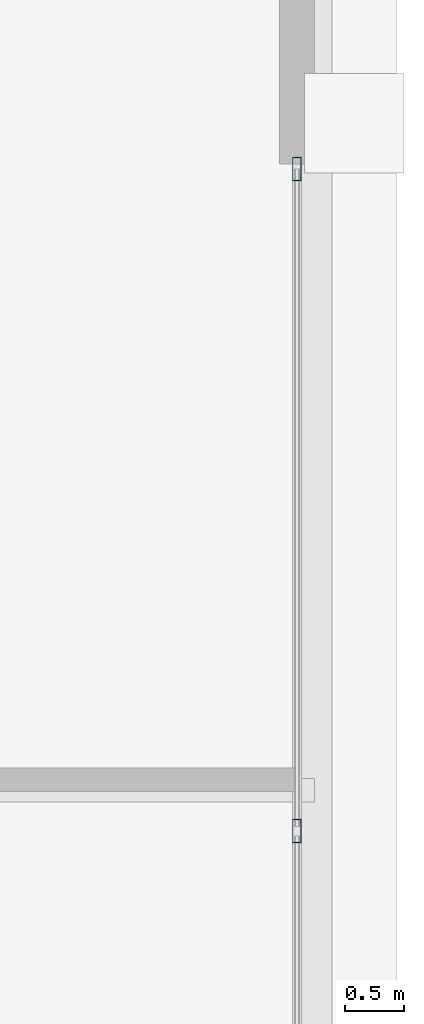
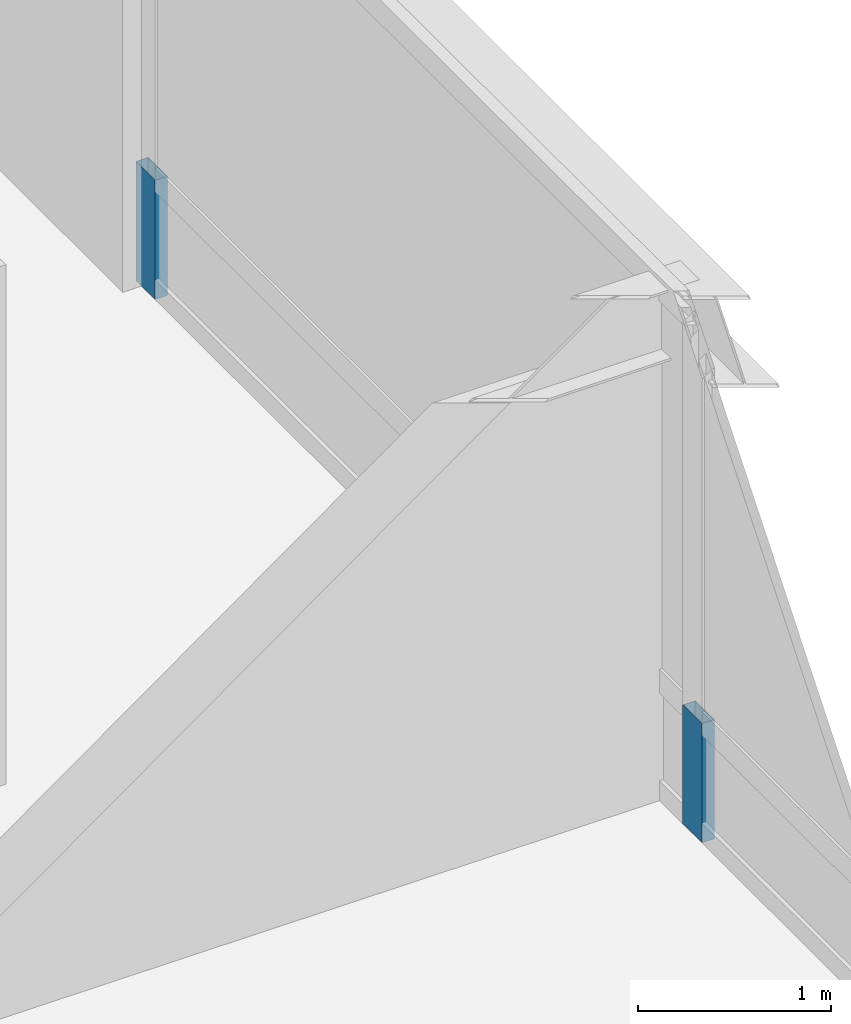
# One storey, part 26 of 35: 2 members, 1 element without a shape of its own.
"""IFC4 building model written with IfcOpenShell, lengths in metres."""

from ifc_helpers import new_model, si_unit, direction, frame, origin, origin_2d, place, context, subcontext, project, spatial, hollow_rectangle, extrude, source, transform, mapped, material, layer, layer_set, material_profile, profile_set, type_object, element, aggregate, save


model = new_model("IFC4")

# Units and contexts
model_context = context("Model", 3, precision=1e-05, world=origin(), true_north=direction((0.0, 1.0)))
body_context = subcontext(model_context, "Body", "Model", "MODEL_VIEW")
ifc_project = project(units=[si_unit("LENGTHUNIT", "METRE"), si_unit("AREAUNIT", "SQUARE_METRE"), si_unit("VOLUMEUNIT", "CUBIC_METRE"), si_unit("PLANEANGLEUNIT", "RADIAN"), si_unit("MASSUNIT", "GRAM", prefix="KILO"), si_unit("THERMODYNAMICTEMPERATUREUNIT", "KELVIN"), si_unit("POWERUNIT", "WATT")], contexts=[model_context])

# Site, building, storey
site_placement = place(None, origin())
site = spatial("IfcSite", under=ifc_project, at=site_placement, CompositionType="ELEMENT")
building_placement = place(site_placement, origin())
building = spatial("IfcBuilding", under=site, at=building_placement, Name="Yuzanri Waterfront Tower", CompositionType="ELEMENT")
storey_placement = place(building_placement, frame((0.0, 0.0, 318.199951171875)))
storey = spatial("IfcBuildingStorey", under=building, at=storey_placement, Name="L85", CompositionType="ELEMENT", Elevation=318.199951171875)

# Curtain wall, members
ifc_material_1 = material(Name="Anodized Architectural Bronze", Category="metal")
ifc_layer = layer(ifc_material_1, 0.159912109375)
ifc_layer_set = layer_set([ifc_layer], Name="Anodized Architectural Bronze")
curtain_wall_type = type_object("IfcCurtainWallType", Name="Anodized Bronze High-Rise Penthouse High-Wind Unitized Curtain Wall 6900", PredefinedType="NOTDEFINED", material=ifc_layer_set)
curtain_wall_placement = place(storey_placement, origin())
curtain_wall = element("IfcCurtainWall", 1, at=curtain_wall_placement, inside=storey, type_object=curtain_wall_type, Name="L85 Curtain Wall CW-L85-ER", PredefinedType="NOTDEFINED")
ifc_material_2 = material(Name="Anodized Architectural Bronze", Category="metal")
ifc_material_profile = material_profile(ifc_material_2, hollow_rectangle(XDim=0.074951171875, YDim=0.199951171875, WallThickness=0.00390625, at=origin_2d()), Name="CWM 75x200")
ifc_profile_set = profile_set([ifc_material_profile], Name="Anodized Architectural Bronze")
member_type = type_object("IfcMemberType", Name="Anodized Bronze Primary Curtain-Wall Mullion 75x200", PredefinedType="MULLION", material=ifc_profile_set)
shared_shape = source(origin(), body_context, "Body", "SweptSolid", [
    extrude(hollow_rectangle(XDim=0.074951171875, YDim=0.199951171875, WallThickness=0.00390625, at=origin_2d()), origin(), (0.0, 0.0, 1.0), 0.751953125),
])
member_1_placement = place(storey_placement, frame((55.949951171875, 31.85009765625, 0.0), z_axis=(0.0, 0.0, 1.0), x_axis=(1.0, 0.0, 0.0)))
member_1 = element("IfcMember", 2, at=member_1_placement, type_object=member_type, Name="CW-L85-ER Lower Mullion 01", PredefinedType="MULLION", context=body_context, shape_type="MappedRepresentation", body=[
    mapped(shared_shape, transform((0.0, 0.0, 0.0), scale=1.0)),
])
member_2_placement = place(storey_placement, frame((55.949951171875, 37.510009765625, 0.0), z_axis=(0.0, 0.0, 1.0), x_axis=(1.0, 0.0, 0.0)))
member_2 = element("IfcMember", 3, at=member_2_placement, type_object=member_type, Name="CW-L85-ER Lower Mullion 02", PredefinedType="MULLION", context=body_context, shape_type="MappedRepresentation", body=[
    mapped(shared_shape, transform((0.0, 0.0, 0.0), scale=1.0)),
])
aggregate(curtain_wall, [member_1, member_2])

save(model, "model.ifc")
